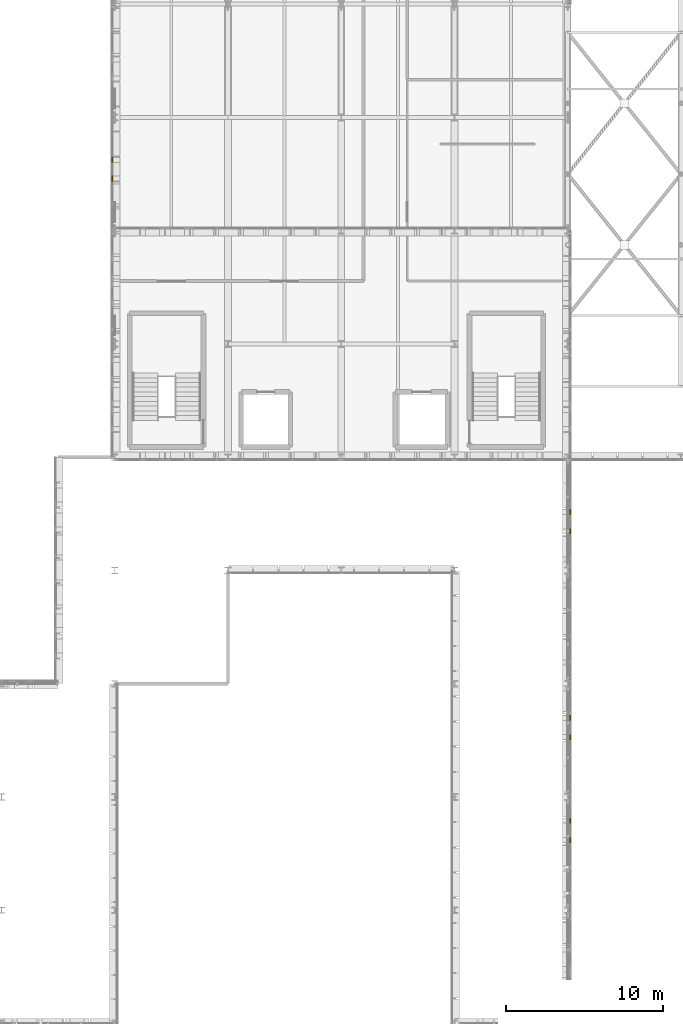
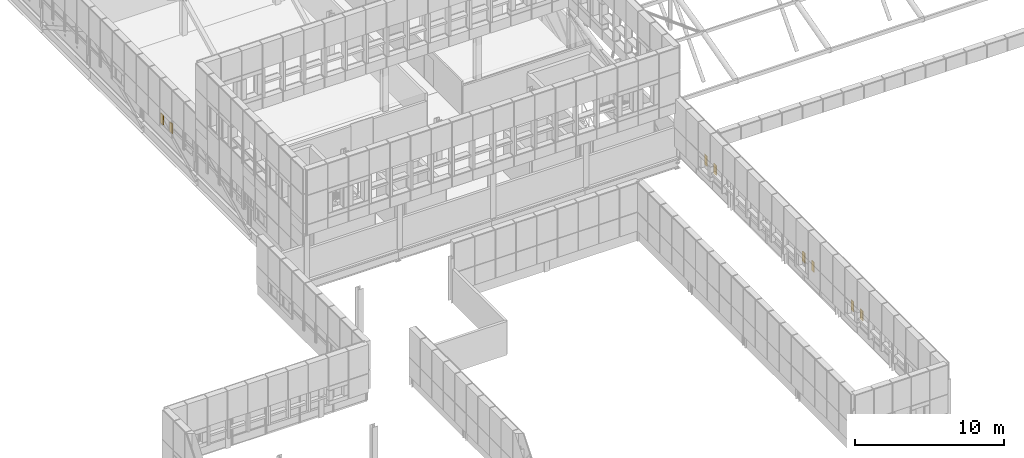
# One storey, part 95 of 96: 8 coverings.
"""IFC4 building model written with IfcOpenShell, lengths in metres."""

from ifc_helpers import new_model, si_unit, direction, frame, origin, origin_2d, place, context, subcontext, project, spatial, rectangle, extrude, material, layer, layer_set, type_object, element, save


model = new_model("IFC4")

# Units and contexts
model_context = context("Model", 3, precision=1e-05, world=origin(), true_north=direction((0.0, 1.0)))
body_context = subcontext(model_context, "Body", "Model", "MODEL_VIEW")
ifc_project = project(units=[si_unit("LENGTHUNIT", "METRE"), si_unit("AREAUNIT", "SQUARE_METRE"), si_unit("VOLUMEUNIT", "CUBIC_METRE"), si_unit("PLANEANGLEUNIT", "RADIAN"), si_unit("MASSUNIT", "GRAM", prefix="KILO")], contexts=[model_context])

# Site, building, storey
site_placement = place(None, origin())
site = spatial("IfcSite", under=ifc_project, at=site_placement, CompositionType="ELEMENT")
building_placement = place(site_placement, origin())
building = spatial("IfcBuilding", under=site, at=building_placement, Name="Yarey Park Central Fire Station", CompositionType="ELEMENT")
storey_placement = place(building_placement, frame((0.0, 0.0, 14.39990234375)))
storey = spatial("IfcBuildingStorey", under=building, at=storey_placement, Name="L04", CompositionType="ELEMENT", Elevation=14.39990234375)

# Coverings
ifc_material = material(Name="Perforated Powder-Coated Aluminium Cladding", Category="aluminium")
ifc_layer = layer(ifc_material, 0.053955078125)
ifc_layer_set = layer_set([ifc_layer], Name="Perforated Powder-Coated Aluminium Cladding")
covering_type = type_object("IfcCoveringType", Name="ENV_COV_PERF_2", PredefinedType="CLADDING", material=ifc_layer_set)
for number, where, z_axis, x_axis, name in (
    (1, (57.760009765625, 33.25439453125, 1.22509765625), (0.0, 0.0, 1.0), (0.0, 1.0, 0.0), "PERF_L04_0367"),
    (2, (57.760009765625, 34.490966796875, 1.22509765625), (0.0, 0.0, 1.0), (0.0, 1.0, 0.0), "PERF_L04_0368"),
    (3, (57.760009765625, 39.800048828125, 1.22509765625), (0.0, 0.0, 1.0), (0.0, 1.0, 0.0), "PERF_L04_0393"),
    (4, (57.760009765625, 41.036376953125, 1.22509765625), (0.0, 0.0, 1.0), (0.0, 1.0, 0.0), "PERF_L04_0394"),
    (5, (57.760009765625, 52.890869140625, 1.22509765625), (0.0, 0.0, 1.0), (0.0, 1.0, 0.0), "PERF_L04_0453"),
    (6, (57.760009765625, 54.127197265625, 1.22509765625), (0.0, 0.0, 1.0), (0.0, 1.0, 0.0), "PERF_L04_0454"),
    (7, (28.639892578125, 75.3154296875, 1.22509765625), (0.0, 0.0, 1.0), (0.0, 1.0, 0.0), "PERF_L04_0684"),
    (8, (28.639892578125, 76.507568359375, 1.22509765625), (0.0, 0.0, 1.0), (0.0, 1.0, 0.0), "PERF_L04_0685"),
):
    element("IfcCovering", number, at=place(storey_placement, frame(where, z_axis=z_axis, x_axis=x_axis)), inside=storey, type_object=covering_type, Name=name, PredefinedType="CLADDING", context=body_context, shape_type="SweptSolid", body=[
        extrude(rectangle(XDim=0.340087890625, YDim=0.053955078125, at=origin_2d()), origin(), (0.0, 0.0, 1.0), 0.820068359375),
    ])

save(model, "model.ifc")
